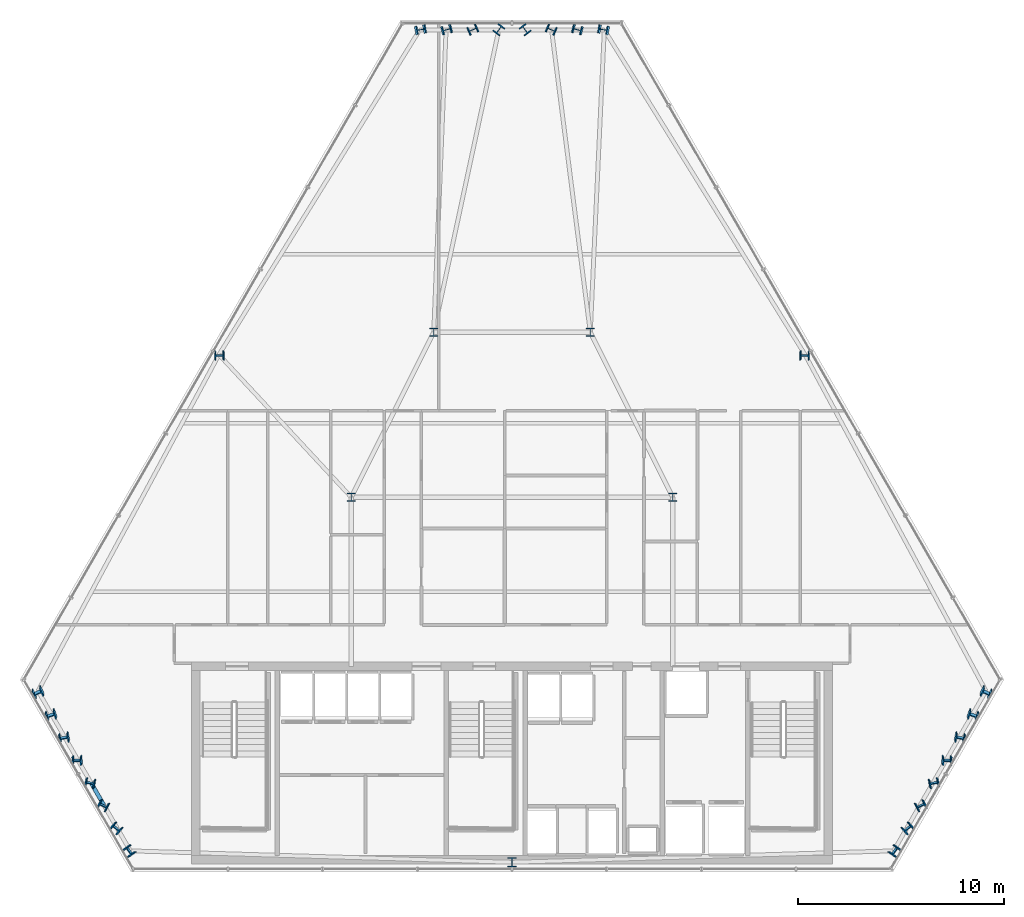
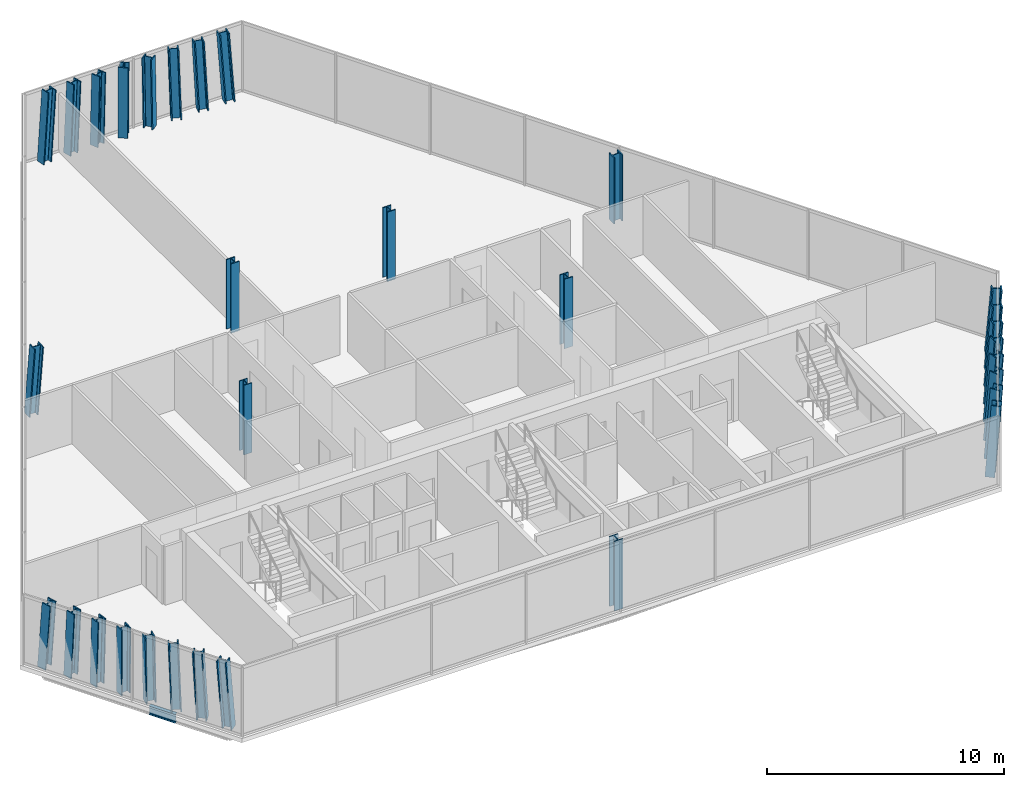
# One storey, part 1 of 33: 31 columns, 1 beam.
"""IFC4 building model written with IfcOpenShell, lengths in metres."""

from ifc_helpers import new_model, si_unit, direction, frame, origin, origin_2d, place, context, subcontext, project, spatial, i_section, extrude, material, material_profile, profile_set, type_object, element, save


model = new_model("IFC4")

# Units and contexts
model_context = context("Model", 3, precision=1e-05, world=origin(), true_north=direction((0.0, 1.0)))
body_context = subcontext(model_context, "Body", "Model", "MODEL_VIEW")
ifc_project = project(units=[si_unit("LENGTHUNIT", "METRE"), si_unit("AREAUNIT", "SQUARE_METRE"), si_unit("VOLUMEUNIT", "CUBIC_METRE"), si_unit("PLANEANGLEUNIT", "RADIAN"), si_unit("MASSUNIT", "GRAM", prefix="KILO")], contexts=[model_context])

# Site, building, storey
site_placement = place(None, origin())
site = spatial("IfcSite", under=ifc_project, at=site_placement, CompositionType="ELEMENT")
building_placement = place(site_placement, origin())
building = spatial("IfcBuilding", under=site, at=building_placement, Name="Ndaravel Arena Tower", CompositionType="ELEMENT")
storey_placement = place(building_placement, frame((0.0, 0.0, 168.800048828125)))
storey = spatial("IfcBuildingStorey", under=building, at=storey_placement, Name="L40", CompositionType="ELEMENT", Elevation=168.800048828125)

# Columns
ifc_material_1 = material(Name="Steel S355", Category="steel")
ifc_material_profile_1 = material_profile(ifc_material_1, i_section(OverallWidth=0.406982421875, OverallDepth=0.4189453125, WebThickness=0.030517578125, FlangeThickness=0.04931640625, FilletRadius=0.01513671875, at=origin_2d()), Name="UC 356x406x393")
ifc_profile_set_1 = profile_set([ifc_material_profile_1], Name="Steel S355")
column_type_1 = type_object("IfcColumnType", Name="COL-INT-UC393", PredefinedType="COLUMN", material=ifc_profile_set_1)
for number, where, z_axis, x_axis, name in (
    (1, (34.199951171875, 23.199951171875, 0.0), (0.0, 0.0, 1.0), (1.0, 0.0, 0.0), "L40 Interior Spine Column IC-01"),
    (2, (49.800048828125, 23.199951171875, 0.0), (0.0, 0.0, 1.0), (1.0, 0.0, 0.0), "L40 Interior Spine Column IC-02"),
    (3, (38.199951171875, 31.199951171875, 0.0), (0.0, 0.0, 1.0), (1.0, 0.0, 0.0), "L40 Interior Spine Column IC-03"),
    (4, (45.800048828125, 31.199951171875, 0.0), (0.0, 0.0, 1.0), (1.0, 0.0, 0.0), "L40 Interior Spine Column IC-04"),
):
    element("IfcColumn", number, at=place(storey_placement, frame(where, z_axis=z_axis, x_axis=x_axis)), inside=storey, type_object=column_type_1, Name=name, PredefinedType="COLUMN", context=body_context, shape_type="SweptSolid", body=[
        extrude(i_section(OverallWidth=0.406982421875, OverallDepth=0.4189453125, WebThickness=0.030517578125, FlangeThickness=0.04931640625, FilletRadius=0.01513671875, at=origin_2d()), origin(), (0.0, 0.0, 1.0), 3.579833984375),
    ])
ifc_material_2 = material(Name="Steel S355", Category="steel")
ifc_material_profile_2 = material_profile(ifc_material_2, i_section(OverallWidth=0.41796875, OverallDepth=0.455078125, WebThickness=0.0419921875, FlangeThickness=0.052001953125, FilletRadius=0.014892578125, at=origin_2d()), Name="HD 400x551")
ifc_profile_set_2 = profile_set([ifc_material_profile_2], Name="Steel S355")
column_type_2 = type_object("IfcColumnType", Name="COL-TUBE-HD551", PredefinedType="COLUMN", material=ifc_profile_set_2)
column_1_placement = place(storey_placement, frame((42.0, 5.47998046875, 0.0), z_axis=(0.0, 0.0, 1.0), x_axis=(1.0, 0.0, 0.0)))
element("IfcColumn", 5, at=column_1_placement, inside=storey, type_object=column_type_2, Name="L40 Framed Tube Column TC-01", PredefinedType="COLUMN", context=body_context, shape_type="SweptSolid", body=[
    extrude(i_section(OverallWidth=0.41796875, OverallDepth=0.455078125, WebThickness=0.0419921875, FlangeThickness=0.052001953125, FilletRadius=0.014892578125, at=origin_2d()), origin(), (0.0, 0.0, 1.0), 3.579833984375),
])
column_2_placement = place(storey_placement, frame((60.52587890625, 6.0341796875, 0.0), z_axis=(0.082103059237, -0.008563729689, 0.996587050988), x_axis=(-0.806541885036, 0.586838564114, 0.071489071554)))
element("IfcColumn", 6, at=column_2_placement, inside=storey, type_object=column_type_2, Name="L40 Framed Tube Column TC-02", PredefinedType="COLUMN", context=body_context, shape_type="SweptSolid", body=[
    extrude(i_section(OverallWidth=0.41796875, OverallDepth=0.455078125, WebThickness=0.0419921875, FlangeThickness=0.052001953125, FilletRadius=0.014892578125, at=origin_2d()), origin(), (0.0, 0.0, 1.0), 3.592041015625),
])
column_3_placement = place(storey_placement, frame((61.165771484375, 7.142822265625, 0.0), z_axis=(0.072213729702, -0.025907185515, 0.997052654067), x_axis=(-0.643910482104, 0.762210461272, 0.066441732097)))
element("IfcColumn", 7, at=column_3_placement, inside=storey, type_object=column_type_2, Name="L40 Framed Tube Column TC-03", PredefinedType="COLUMN", context=body_context, shape_type="SweptSolid", body=[
    extrude(i_section(OverallWidth=0.41796875, OverallDepth=0.455078125, WebThickness=0.0419921875, FlangeThickness=0.052001953125, FilletRadius=0.014892578125, at=origin_2d()), origin(), (0.0, 0.0, 1.0), 3.59033203125),
])
column_4_placement = place(storey_placement, frame((61.805908203125, 8.25146484375, 0.0), z_axis=(0.062222727162, -0.043181892621, 0.997127703142), x_axis=(-0.42436373933, 0.903113037788, 0.065591597932)))
element("IfcColumn", 8, at=column_4_placement, inside=storey, type_object=column_type_2, Name="L40 Framed Tube Column TC-04", PredefinedType="COLUMN", context=body_context, shape_type="SweptSolid", body=[
    extrude(i_section(OverallWidth=0.41796875, OverallDepth=0.455078125, WebThickness=0.0419921875, FlangeThickness=0.052001953125, FilletRadius=0.014892578125, at=origin_2d()), origin(), (0.0, 0.0, 1.0), 3.590087890625),
])
column_5_placement = place(storey_placement, frame((62.44580078125, 9.35986328125, 0.0), z_axis=(0.052277437958, -0.060367184534, 0.996806336513), x_axis=(-0.187152330138, 0.979893443037, 0.069158120391)))
element("IfcColumn", 9, at=column_5_placement, inside=storey, type_object=column_type_2, Name="L40 Framed Tube Column TC-05", PredefinedType="COLUMN", context=body_context, shape_type="SweptSolid", body=[
    extrude(i_section(OverallWidth=0.41796875, OverallDepth=0.455078125, WebThickness=0.0419921875, FlangeThickness=0.052001953125, FilletRadius=0.014892578125, at=origin_2d()), origin(), (0.0, 0.0, 1.0), 3.59130859375),
])
column_6_placement = place(storey_placement, frame((63.0859375, 10.468505859375, 0.0), z_axis=(0.042253853596, -0.07757861866, 0.996090442572), x_axis=(0.026482675883, 0.996717510238, 0.076504069583)))
element("IfcColumn", 10, at=column_6_placement, inside=storey, type_object=column_type_2, Name="L40 Framed Tube Column TC-06", PredefinedType="COLUMN", context=body_context, shape_type="SweptSolid", body=[
    extrude(i_section(OverallWidth=0.41796875, OverallDepth=0.455078125, WebThickness=0.0419921875, FlangeThickness=0.052001953125, FilletRadius=0.014892578125, at=origin_2d()), origin(), (0.0, 0.0, 1.0), 3.593994140625),
])
column_7_placement = place(storey_placement, frame((63.725830078125, 11.576904296875, 0.0), z_axis=(0.032299876946, -0.094660353653, 0.994985495068), x_axis=(0.194941646641, 0.976982525919, 0.08661927299)))
element("IfcColumn", 11, at=column_7_placement, inside=storey, type_object=column_type_2, Name="L40 Framed Tube Column TC-07", PredefinedType="COLUMN", context=body_context, shape_type="SweptSolid", body=[
    extrude(i_section(OverallWidth=0.41796875, OverallDepth=0.455078125, WebThickness=0.0419921875, FlangeThickness=0.052001953125, FilletRadius=0.014892578125, at=origin_2d()), origin(), (0.0, 0.0, 1.0), 3.597900390625),
])
column_8_placement = place(storey_placement, frame((64.365966796875, 12.685546875, 0.0), z_axis=(0.022291333243, -0.111727685465, 0.993488812601), x_axis=(0.321993963103, 0.941586375909, 0.098666024689)))
element("IfcColumn", 12, at=column_8_placement, inside=storey, type_object=column_type_2, Name="L40 Framed Tube Column TC-08", PredefinedType="COLUMN", context=body_context, shape_type="SweptSolid", body=[
    extrude(i_section(OverallWidth=0.41796875, OverallDepth=0.455078125, WebThickness=0.0419921875, FlangeThickness=0.052001953125, FilletRadius=0.014892578125, at=origin_2d()), origin(), (0.0, 0.0, 1.0), 3.603271484375),
])
column_9_placement = place(storey_placement, frame((65.005859375, 13.794189453125, 0.0), z_axis=(0.012375647772, -0.12869321153, 0.991607231039), x_axis=(0.41550177193, 0.902674887769, 0.111965729193)))
element("IfcColumn", 13, at=column_9_placement, inside=storey, type_object=column_type_2, Name="L40 Framed Tube Column TC-09", PredefinedType="COLUMN", context=body_context, shape_type="SweptSolid", body=[
    extrude(i_section(OverallWidth=0.41796875, OverallDepth=0.455078125, WebThickness=0.0419921875, FlangeThickness=0.052001953125, FilletRadius=0.014892578125, at=origin_2d()), origin(), (0.0, 0.0, 1.0), 3.610107421875),
])
column_10_placement = place(storey_placement, frame((56.22314453125, 30.114990234375, 0.0), z_axis=(-0.036118944898, -0.062578962912, 0.997386231718), x_axis=(-0.001263812759, 0.998039515346, 0.062574184651)))
element("IfcColumn", 14, at=column_10_placement, inside=storey, type_object=column_type_2, Name="L40 Framed Tube Column TC-10", PredefinedType="COLUMN", context=body_context, shape_type="SweptSolid", body=[
    extrude(i_section(OverallWidth=0.41796875, OverallDepth=0.455078125, WebThickness=0.0419921875, FlangeThickness=0.052001953125, FilletRadius=0.014892578125, at=origin_2d()), origin(), (0.0, 0.0, 1.0), 3.589111328125),
])
column_11_placement = place(storey_placement, frame((46.480224609375, 45.881591796875, 0.0), z_axis=(-0.06979547813, 0.012993115324, 0.997476701576), x_axis=(-0.183015605797, -0.983110008104, 0.0)))
element("IfcColumn", 15, at=column_11_placement, inside=storey, type_object=column_type_2, Name="L40 Framed Tube Column TC-11", PredefinedType="COLUMN", context=body_context, shape_type="SweptSolid", body=[
    extrude(i_section(OverallWidth=0.41796875, OverallDepth=0.455078125, WebThickness=0.0419921875, FlangeThickness=0.052001953125, FilletRadius=0.014892578125, at=origin_2d()), origin(), (0.0, 0.0, 1.0), 3.5888671875),
])
column_12_placement = place(storey_placement, frame((45.2001953125, 45.881591796875, 0.0), z_axis=(-0.049923200694, 0.013008637561, 0.998668338029), x_axis=(-0.25215317949, -0.967687332806, 0.0)))
element("IfcColumn", 16, at=column_12_placement, inside=storey, type_object=column_type_2, Name="L40 Framed Tube Column TC-12", PredefinedType="COLUMN", context=body_context, shape_type="SweptSolid", body=[
    extrude(i_section(OverallWidth=0.41796875, OverallDepth=0.455078125, WebThickness=0.0419921875, FlangeThickness=0.052001953125, FilletRadius=0.014892578125, at=origin_2d()), origin(), (0.0, 0.0, 1.0), 3.584716796875),
])
column_13_placement = place(storey_placement, frame((43.920166015625, 45.881591796875, 0.0), z_axis=(-0.02999145884, 0.013019019633, 0.999465365845), x_axis=(-0.39819242053, -0.917301911168, 0.0)))
element("IfcColumn", 17, at=column_13_placement, inside=storey, type_object=column_type_2, Name="L40 Framed Tube Column TC-13", PredefinedType="COLUMN", context=body_context, shape_type="SweptSolid", body=[
    extrude(i_section(OverallWidth=0.41796875, OverallDepth=0.455078125, WebThickness=0.0419921875, FlangeThickness=0.052001953125, FilletRadius=0.014892578125, at=origin_2d()), origin(), (0.0, 0.0, 1.0), 3.581787109375),
])
for number, where, z_axis, x_axis, name in (
    (18, (42.639892578125, 45.881591796875, 0.0), (-0.009955696664, 0.013024233307, 0.999865617696), (-0.794475884075, -0.607295701963, 0.0), "L40 Framed Tube Column TC-14"),
    (19, (41.360107421875, 45.881591796875, 0.0), (0.009955696664, 0.013024233307, 0.999865617696), (-0.794475884075, 0.607295701963, 0.0), "L40 Framed Tube Column TC-15"),
):
    element("IfcColumn", number, at=place(storey_placement, frame(where, z_axis=z_axis, x_axis=x_axis)), inside=storey, type_object=column_type_2, Name=name, PredefinedType="COLUMN", context=body_context, shape_type="SweptSolid", body=[
        extrude(i_section(OverallWidth=0.41796875, OverallDepth=0.455078125, WebThickness=0.0419921875, FlangeThickness=0.052001953125, FilletRadius=0.014892578125, at=origin_2d()), origin(), (0.0, 0.0, 1.0), 3.580322265625),
    ])
column_14_placement = place(storey_placement, frame((40.079833984375, 45.881591796875, 0.0), z_axis=(0.02999145884, 0.013019019633, 0.999465365845), x_axis=(-0.39819242053, 0.917301911168, 0.0)))
element("IfcColumn", 20, at=column_14_placement, inside=storey, type_object=column_type_2, Name="L40 Framed Tube Column TC-16", PredefinedType="COLUMN", context=body_context, shape_type="SweptSolid", body=[
    extrude(i_section(OverallWidth=0.41796875, OverallDepth=0.455078125, WebThickness=0.0419921875, FlangeThickness=0.052001953125, FilletRadius=0.014892578125, at=origin_2d()), origin(), (0.0, 0.0, 1.0), 3.581787109375),
])
column_15_placement = place(storey_placement, frame((38.7998046875, 45.881591796875, 0.0), z_axis=(0.049923200694, 0.013008637561, 0.998668338029), x_axis=(-0.25215317949, 0.967687332806, 0.0)))
element("IfcColumn", 21, at=column_15_placement, inside=storey, type_object=column_type_2, Name="L40 Framed Tube Column TC-17", PredefinedType="COLUMN", context=body_context, shape_type="SweptSolid", body=[
    extrude(i_section(OverallWidth=0.41796875, OverallDepth=0.455078125, WebThickness=0.0419921875, FlangeThickness=0.052001953125, FilletRadius=0.014892578125, at=origin_2d()), origin(), (0.0, 0.0, 1.0), 3.584716796875),
])
column_16_placement = place(storey_placement, frame((37.519775390625, 45.881591796875, 0.0), z_axis=(0.06979547813, 0.012993115324, 0.997476701576), x_axis=(-0.183015605797, 0.983110008104, 0.0)))
element("IfcColumn", 22, at=column_16_placement, inside=storey, type_object=column_type_2, Name="L40 Framed Tube Column TC-18", PredefinedType="COLUMN", context=body_context, shape_type="SweptSolid", body=[
    extrude(i_section(OverallWidth=0.41796875, OverallDepth=0.455078125, WebThickness=0.0419921875, FlangeThickness=0.052001953125, FilletRadius=0.014892578125, at=origin_2d()), origin(), (0.0, 0.0, 1.0), 3.5888671875),
])
column_17_placement = place(storey_placement, frame((27.77685546875, 30.114990234375, 0.0), z_axis=(0.036118944898, -0.062578962912, 0.997386231718), x_axis=(0.001263812759, 0.998039515346, 0.062574184651)))
element("IfcColumn", 23, at=column_17_placement, inside=storey, type_object=column_type_2, Name="L40 Framed Tube Column TC-19", PredefinedType="COLUMN", context=body_context, shape_type="SweptSolid", body=[
    extrude(i_section(OverallWidth=0.41796875, OverallDepth=0.455078125, WebThickness=0.0419921875, FlangeThickness=0.052001953125, FilletRadius=0.014892578125, at=origin_2d()), origin(), (0.0, 0.0, 1.0), 3.589111328125),
])
column_18_placement = place(storey_placement, frame((18.994140625, 13.794189453125, 0.0), z_axis=(-0.012375647772, -0.12869321153, 0.991607231039), x_axis=(-0.41550177193, 0.902674887769, 0.111965729193)))
element("IfcColumn", 24, at=column_18_placement, inside=storey, type_object=column_type_2, Name="L40 Framed Tube Column TC-20", PredefinedType="COLUMN", context=body_context, shape_type="SweptSolid", body=[
    extrude(i_section(OverallWidth=0.41796875, OverallDepth=0.455078125, WebThickness=0.0419921875, FlangeThickness=0.052001953125, FilletRadius=0.014892578125, at=origin_2d()), origin(), (0.0, 0.0, 1.0), 3.610107421875),
])
column_19_placement = place(storey_placement, frame((19.634033203125, 12.685546875, 0.0), z_axis=(-0.022291333243, -0.111727685465, 0.993488812601), x_axis=(-0.321993963103, 0.941586375909, 0.098666024689)))
element("IfcColumn", 25, at=column_19_placement, inside=storey, type_object=column_type_2, Name="L40 Framed Tube Column TC-21", PredefinedType="COLUMN", context=body_context, shape_type="SweptSolid", body=[
    extrude(i_section(OverallWidth=0.41796875, OverallDepth=0.455078125, WebThickness=0.0419921875, FlangeThickness=0.052001953125, FilletRadius=0.014892578125, at=origin_2d()), origin(), (0.0, 0.0, 1.0), 3.603271484375),
])
column_20_placement = place(storey_placement, frame((20.274169921875, 11.576904296875, 0.0), z_axis=(-0.032299876946, -0.094660353653, 0.994985495068), x_axis=(-0.194941646641, 0.976982525919, 0.08661927299)))
element("IfcColumn", 26, at=column_20_placement, inside=storey, type_object=column_type_2, Name="L40 Framed Tube Column TC-22", PredefinedType="COLUMN", context=body_context, shape_type="SweptSolid", body=[
    extrude(i_section(OverallWidth=0.41796875, OverallDepth=0.455078125, WebThickness=0.0419921875, FlangeThickness=0.052001953125, FilletRadius=0.014892578125, at=origin_2d()), origin(), (0.0, 0.0, 1.0), 3.597900390625),
])
column_21_placement = place(storey_placement, frame((20.9140625, 10.468505859375, 0.0), z_axis=(-0.042253853596, -0.07757861866, 0.996090442572), x_axis=(-0.026482675883, 0.996717510238, 0.076504069583)))
element("IfcColumn", 27, at=column_21_placement, inside=storey, type_object=column_type_2, Name="L40 Framed Tube Column TC-23", PredefinedType="COLUMN", context=body_context, shape_type="SweptSolid", body=[
    extrude(i_section(OverallWidth=0.41796875, OverallDepth=0.455078125, WebThickness=0.0419921875, FlangeThickness=0.052001953125, FilletRadius=0.014892578125, at=origin_2d()), origin(), (0.0, 0.0, 1.0), 3.593994140625),
])
column_22_placement = place(storey_placement, frame((21.55419921875, 9.35986328125, 0.0), z_axis=(-0.052277437958, -0.060367184534, 0.996806336513), x_axis=(0.187152330138, 0.979893443037, 0.069158120391)))
element("IfcColumn", 28, at=column_22_placement, inside=storey, type_object=column_type_2, Name="L40 Framed Tube Column TC-24", PredefinedType="COLUMN", context=body_context, shape_type="SweptSolid", body=[
    extrude(i_section(OverallWidth=0.41796875, OverallDepth=0.455078125, WebThickness=0.0419921875, FlangeThickness=0.052001953125, FilletRadius=0.014892578125, at=origin_2d()), origin(), (0.0, 0.0, 1.0), 3.59130859375),
])
column_23_placement = place(storey_placement, frame((22.194091796875, 8.25146484375, 0.0), z_axis=(-0.062222727162, -0.043181892621, 0.997127703142), x_axis=(0.42436373933, 0.903113037788, 0.065591597932)))
element("IfcColumn", 29, at=column_23_placement, inside=storey, type_object=column_type_2, Name="L40 Framed Tube Column TC-25", PredefinedType="COLUMN", context=body_context, shape_type="SweptSolid", body=[
    extrude(i_section(OverallWidth=0.41796875, OverallDepth=0.455078125, WebThickness=0.0419921875, FlangeThickness=0.052001953125, FilletRadius=0.014892578125, at=origin_2d()), origin(), (0.0, 0.0, 1.0), 3.590087890625),
])
column_24_placement = place(storey_placement, frame((22.834228515625, 7.142822265625, 0.0), z_axis=(-0.072213729702, -0.025907185515, 0.997052654067), x_axis=(0.643910482104, 0.762210461272, 0.066441732097)))
element("IfcColumn", 30, at=column_24_placement, inside=storey, type_object=column_type_2, Name="L40 Framed Tube Column TC-26", PredefinedType="COLUMN", context=body_context, shape_type="SweptSolid", body=[
    extrude(i_section(OverallWidth=0.41796875, OverallDepth=0.455078125, WebThickness=0.0419921875, FlangeThickness=0.052001953125, FilletRadius=0.014892578125, at=origin_2d()), origin(), (0.0, 0.0, 1.0), 3.59033203125),
])
column_25_placement = place(storey_placement, frame((23.47412109375, 6.0341796875, 0.0), z_axis=(-0.082103059237, -0.008563729689, 0.996587050988), x_axis=(0.806541885036, 0.586838564114, 0.071489071554)))
element("IfcColumn", 31, at=column_25_placement, inside=storey, type_object=column_type_2, Name="L40 Framed Tube Column TC-27", PredefinedType="COLUMN", context=body_context, shape_type="SweptSolid", body=[
    extrude(i_section(OverallWidth=0.41796875, OverallDepth=0.455078125, WebThickness=0.0419921875, FlangeThickness=0.052001953125, FilletRadius=0.014892578125, at=origin_2d()), origin(), (0.0, 0.0, 1.0), 3.592041015625),
])

# Beam
ifc_material_3 = material(Name="Steel S355", Category="steel")
ifc_material_profile_3 = material_profile(ifc_material_3, i_section(OverallWidth=0.18994140625, OverallDepth=0.449951171875, WebThickness=0.009521484375, FlangeThickness=0.0146484375, FilletRadius=0.02099609375, at=origin_2d()), Name="IPE 450")
ifc_profile_set_3 = profile_set([ifc_material_profile_3], Name="Steel S355")
beam_type = type_object("IfcBeamType", Name="BM-SPAN-IPE450", PredefinedType="SPANDREL", material=ifc_profile_set_3)
beam_placement = place(storey_placement, frame((21.55419921875, 9.35986328125, -0.445068359375), z_axis=(0.499975646431, -0.866039463868, 0.0), x_axis=(0.866039463868, 0.499975646431, 0.0)))
element("IfcBeam", 32, at=beam_placement, inside=storey, type_object=beam_type, Name="L40 Perimeter Spandrel Beam SP-24", PredefinedType="SPANDREL", context=body_context, shape_type="SweptSolid", body=[
    extrude(i_section(OverallWidth=0.18994140625, OverallDepth=0.449951171875, WebThickness=0.009521484375, FlangeThickness=0.0146484375, FilletRadius=0.02099609375, at=origin_2d()), origin(), (0.0, 0.0, 1.0), 1.27978515625),
])

save(model, "model.ifc")
